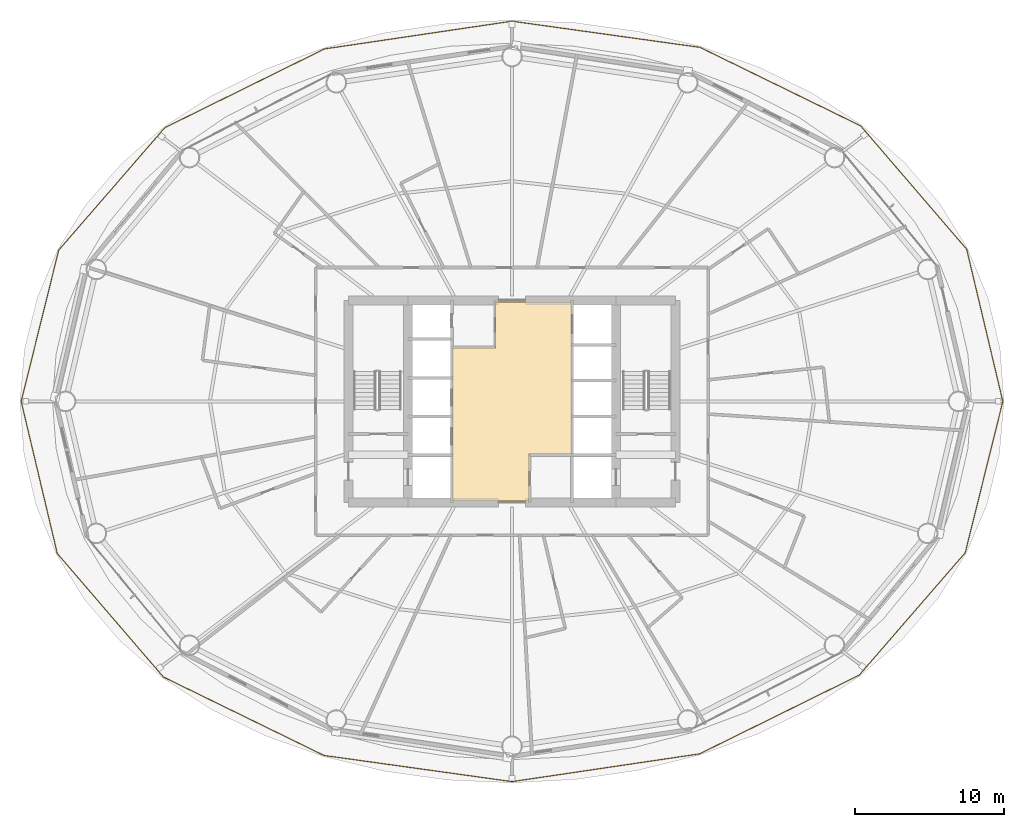
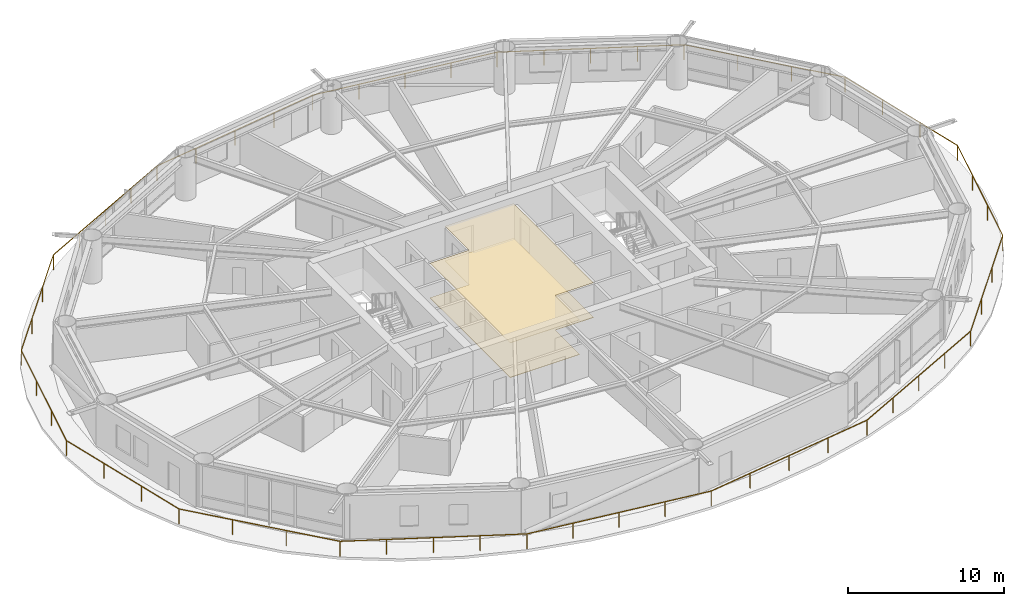
# One storey, part 25 of 26: 2 coverings, 1 railing.
"""IFC4 building model written with IfcOpenShell, lengths in metres."""

from ifc_helpers import new_model, si_unit, direction, frame, origin, origin_2d, place, context, subcontext, project, spatial, polyline, rectangle, outline, extrude, material, layer, layer_set, type_object, element, save


model = new_model("IFC4")

# Units and contexts
model_context = context("Model", 3, precision=1e-05, world=origin(), true_north=direction((0.0, 1.0)))
body_context = subcontext(model_context, "Body", "Model", "MODEL_VIEW")
ifc_project = project(units=[si_unit("LENGTHUNIT", "METRE"), si_unit("AREAUNIT", "SQUARE_METRE"), si_unit("VOLUMEUNIT", "CUBIC_METRE"), si_unit("PLANEANGLEUNIT", "RADIAN"), si_unit("MASSUNIT", "GRAM", prefix="KILO")], contexts=[model_context])

# Site, building, storey
site_placement = place(None, origin())
site = spatial("IfcSite", under=ifc_project, at=site_placement, CompositionType="ELEMENT")
building_placement = place(site_placement, origin())
building = spatial("IfcBuilding", under=site, at=building_placement, Name="Sarneth Arch Tower", CompositionType="ELEMENT")
storey_placement = place(building_placement, frame((0.0, 0.0, 53.39990234375)))
storey = spatial("IfcBuildingStorey", under=building, at=storey_placement, Name="L12", CompositionType="ELEMENT", Elevation=53.39990234375)

# Coverings
ifc_material_1 = material(Name="Perforated acoustic gypsum ceiling board")
ifc_layer_1 = layer(ifc_material_1, 0.02490234375)
ifc_layer_set_1 = layer_set([ifc_layer_1], Name="Perforated acoustic gypsum ceiling board")
covering_type_1 = type_object("IfcCoveringType", Name="COV-CEIL-GYP", PredefinedType="CEILING", material=ifc_layer_set_1)
covering_1_placement = place(storey_placement, frame((0.0, 0.0, 2.710205078125)))
element("IfcCovering", 1, at=covering_1_placement, inside=storey, type_object=covering_type_1, Name="L12 Lift lobby acoustic ceiling", PredefinedType="CEILING", context=body_context, shape_type="SweptSolid", body=[
    extrude(outline(polyline([(49.14990234375, 38.449951171875), (49.14990234375, 35.300048828125), (44.0, 35.300048828125), (44.0, 45.60009765625), (46.89990234375, 45.60009765625), (46.89990234375, 48.699951171875), (52.0, 48.699951171875), (52.0, 38.449951171875), (49.14990234375, 38.449951171875)])), origin(), (0.0, 0.0, 1.0), 0.02978515625),
])
ifc_material_2 = material(Name="Honed granite stone flooring", Category="masonry")
ifc_layer_2 = layer(ifc_material_2, 0.030029296875)
ifc_layer_set_2 = layer_set([ifc_layer_2], Name="Honed granite stone flooring")
covering_type_2 = type_object("IfcCoveringType", Name="COV-FLR-STONE", PredefinedType="FLOORING", material=ifc_layer_set_2)
covering_2_placement = place(storey_placement, origin())
element("IfcCovering", 2, at=covering_2_placement, inside=storey, type_object=covering_type_2, Name="L12 Lift lobby granite flooring", PredefinedType="FLOORING", context=body_context, shape_type="SweptSolid", body=[
    extrude(outline(polyline([(49.14990234375, 38.449951171875), (49.14990234375, 35.300048828125), (44.0, 35.300048828125), (44.0, 45.60009765625), (46.89990234375, 45.60009765625), (46.89990234375, 48.699951171875), (52.0, 48.699951171875), (52.0, 38.449951171875), (49.14990234375, 38.449951171875)])), origin(), (0.0, 0.0, 1.0), 0.030029296875),
])

# Railing
ifc_material_3 = material(Name="Laminated structural glass infill with Stainless Steel 316 top rail and posts", Category="steel")
railing_type = type_object("IfcRailingType", Name="RAIL-BALC-1200", PredefinedType="BALUSTRADE", material=ifc_material_3)
railing_placement = place(storey_placement, frame((81.02001953125, 42.0, 0.0)))
element("IfcRailing", 3, at=railing_placement, inside=storey, type_object=railing_type, Name="L12 Helical balcony glass balustrade", PredefinedType="BALUSTRADE", context=body_context, shape_type="SweptSolid", body=[
    extrude(rectangle(XDim=0.048095703125, YDim=0.048095703125, at=origin_2d()), frame((0.0, 0.0, 1.17578125), z_axis=(-0.230971899442, 0.972960421429, 0.0), x_axis=(-0.972960421429, -0.230971899442, 0.0)), (0.0, 0.0, 1.0), 10.517333984375),
    extrude(rectangle(XDim=0.048095703125, YDim=0.048095703125, at=origin_2d()), frame((-2.42919921875, 10.23291015625, 1.17578125), z_axis=(-0.651663135134, 0.758508509054, 0.0), x_axis=(-0.758508509054, -0.651663135134, 0.0)), (0.0, 0.0, 1.0), 10.94970703125),
    extrude(rectangle(XDim=0.048095703125, YDim=0.048095703125, at=origin_2d()), frame((-9.564697265625, 18.538330078125, 1.17578125), z_axis=(-0.898482056272, 0.43901024425, 0.0), x_axis=(-0.43901024425, -0.898482056272, 0.0)), (0.0, 0.0, 1.0), 12.027099609375),
    extrude(rectangle(XDim=0.048095703125, YDim=0.048095703125, at=origin_2d()), frame((-20.370849609375, 23.818359375, 1.17578125), z_axis=(-0.990445256304, 0.137906469263, 0.0), x_axis=(-0.137906469263, -0.990445256304, 0.0)), (0.0, 0.0, 1.0), 12.771240234375),
    extrude(rectangle(XDim=0.048095703125, YDim=0.048095703125, at=origin_2d()), frame((-33.02001953125, 25.57958984375, 1.17578125), z_axis=(-0.989224419805, -0.14640712845, 0.0), x_axis=(0.14640712845, -0.989224419805, 0.0)), (0.0, 0.0, 1.0), 12.75341796875),
    extrude(rectangle(XDim=0.048095703125, YDim=0.048095703125, at=origin_2d()), frame((-45.635986328125, 23.71240234375, 1.17578125), z_axis=(-0.896834990075, -0.442365234368, 0.0), x_axis=(0.442365234368, -0.896834990075, 0.0)), (0.0, 0.0, 1.0), 11.980712890625),
    extrude(rectangle(XDim=0.048095703125, YDim=0.048095703125, at=origin_2d()), frame((-56.380615234375, 18.41259765625, 1.17578125), z_axis=(-0.654774388747, -0.755824384259, 0.0), x_axis=(0.755824384259, -0.654774388747, 0.0)), (0.0, 0.0, 1.0), 10.893798828125),
    extrude(rectangle(XDim=0.048095703125, YDim=0.048095703125, at=origin_2d()), frame((-63.513671875, 10.1787109375, 1.17578125), z_axis=(-0.240892047078, -0.970551916002, 0.0), x_axis=(0.970551916002, -0.240892047078, 0.0)), (0.0, 0.0, 1.0), 10.487548828125),
    extrude(rectangle(XDim=0.048095703125, YDim=0.048095703125, at=origin_2d()), frame((-66.0400390625, 0.0, 1.17578125), z_axis=(0.230971899442, -0.972960421429, 0.0), x_axis=(0.972960421429, 0.230971899442, 0.0)), (0.0, 0.0, 1.0), 10.517333984375),
    extrude(rectangle(XDim=0.048095703125, YDim=0.048095703125, at=origin_2d()), frame((-63.61083984375, -10.23291015625, 1.17578125), z_axis=(0.651663135134, -0.758508509054, 0.0), x_axis=(0.758508509054, 0.651663135134, 0.0)), (0.0, 0.0, 1.0), 10.94970703125),
    extrude(rectangle(XDim=0.048095703125, YDim=0.048095703125, at=origin_2d()), frame((-56.475341796875, -18.538330078125, 1.17578125), z_axis=(0.898482056272, -0.43901024425, 0.0), x_axis=(0.43901024425, 0.898482056272, 0.0)), (0.0, 0.0, 1.0), 12.027099609375),
    extrude(rectangle(XDim=0.048095703125, YDim=0.048095703125, at=origin_2d()), frame((-45.669189453125, -23.818359375, 1.17578125), z_axis=(0.990445256304, -0.137906469263, 0.0), x_axis=(0.137906469263, 0.990445256304, 0.0)), (0.0, 0.0, 1.0), 12.771240234375),
    extrude(rectangle(XDim=0.048095703125, YDim=0.048095703125, at=origin_2d()), frame((-33.02001953125, -25.57958984375, 1.17578125), z_axis=(0.989224419805, 0.14640712845, 0.0), x_axis=(-0.14640712845, 0.989224419805, 0.0)), (0.0, 0.0, 1.0), 12.75341796875),
    extrude(rectangle(XDim=0.048095703125, YDim=0.048095703125, at=origin_2d()), frame((-20.404052734375, -23.71240234375, 1.17578125), z_axis=(0.896834990075, 0.442365234368, 0.0), x_axis=(-0.442365234368, 0.896834990075, 0.0)), (0.0, 0.0, 1.0), 11.980712890625),
    extrude(rectangle(XDim=0.048095703125, YDim=0.048095703125, at=origin_2d()), frame((-9.659423828125, -18.41259765625, 1.17578125), z_axis=(0.654774388747, 0.755824384259, 0.0), x_axis=(-0.755824384259, 0.654774388747, 0.0)), (0.0, 0.0, 1.0), 10.893798828125),
    extrude(rectangle(XDim=0.048095703125, YDim=0.048095703125, at=origin_2d()), frame((-2.5263671875, -10.1787109375, 1.17578125), z_axis=(0.240892047078, 0.970551916002, 0.0), x_axis=(-0.970551916002, 0.240892047078, 0.0)), (0.0, 0.0, 1.0), 10.487548828125),
    extrude(rectangle(XDim=0.0419921875, YDim=0.0419921875, at=origin_2d()), origin(), (0.0, 0.0, 1.0), 1.15185546875),
    extrude(rectangle(XDim=0.0419921875, YDim=0.0419921875, at=origin_2d()), frame((-0.809814453125, 3.410888671875, 0.0)), (0.0, 0.0, 1.0), 1.15185546875),
    extrude(rectangle(XDim=0.0419921875, YDim=0.0419921875, at=origin_2d()), frame((-1.619384765625, 6.822021484375, 0.0)), (0.0, 0.0, 1.0), 1.15185546875),
    extrude(rectangle(XDim=0.0419921875, YDim=0.0419921875, at=origin_2d()), frame((-2.42919921875, 10.23291015625, 0.0)), (0.0, 0.0, 1.0), 1.15185546875),
    extrude(rectangle(XDim=0.0419921875, YDim=0.0419921875, at=origin_2d()), frame((-4.8076171875, 13.00146484375, 0.0)), (0.0, 0.0, 1.0), 1.15185546875),
    extrude(rectangle(XDim=0.0419921875, YDim=0.0419921875, at=origin_2d()), frame((-7.186279296875, 15.769775390625, 0.0)), (0.0, 0.0, 1.0), 1.15185546875),
    extrude(rectangle(XDim=0.0419921875, YDim=0.0419921875, at=origin_2d()), frame((-9.564697265625, 18.538330078125, 0.0)), (0.0, 0.0, 1.0), 1.15185546875),
    extrude(rectangle(XDim=0.0419921875, YDim=0.0419921875, at=origin_2d()), frame((-12.26611328125, 19.8583984375, 0.0)), (0.0, 0.0, 1.0), 1.15185546875),
    extrude(rectangle(XDim=0.0419921875, YDim=0.0419921875, at=origin_2d()), frame((-14.9677734375, 21.17822265625, 0.0)), (0.0, 0.0, 1.0), 1.15185546875),
    extrude(rectangle(XDim=0.0419921875, YDim=0.0419921875, at=origin_2d()), frame((-17.66943359375, 22.498291015625, 0.0)), (0.0, 0.0, 1.0), 1.15185546875),
    extrude(rectangle(XDim=0.0419921875, YDim=0.0419921875, at=origin_2d()), frame((-20.370849609375, 23.818359375, 0.0)), (0.0, 0.0, 1.0), 1.15185546875),
    extrude(rectangle(XDim=0.0419921875, YDim=0.0419921875, at=origin_2d()), frame((-23.533203125, 24.2587890625, 0.0)), (0.0, 0.0, 1.0), 1.15185546875),
    extrude(rectangle(XDim=0.0419921875, YDim=0.0419921875, at=origin_2d()), frame((-26.6953125, 24.698974609375, 0.0)), (0.0, 0.0, 1.0), 1.15185546875),
    extrude(rectangle(XDim=0.0419921875, YDim=0.0419921875, at=origin_2d()), frame((-29.857666015625, 25.13916015625, 0.0)), (0.0, 0.0, 1.0), 1.15185546875),
    extrude(rectangle(XDim=0.0419921875, YDim=0.0419921875, at=origin_2d()), frame((-33.02001953125, 25.57958984375, 0.0)), (0.0, 0.0, 1.0), 1.15185546875),
    extrude(rectangle(XDim=0.0419921875, YDim=0.0419921875, at=origin_2d()), frame((-36.174072265625, 25.11279296875, 0.0)), (0.0, 0.0, 1.0), 1.15185546875),
    extrude(rectangle(XDim=0.0419921875, YDim=0.0419921875, at=origin_2d()), frame((-39.328125, 24.64599609375, 0.0)), (0.0, 0.0, 1.0), 1.15185546875),
    extrude(rectangle(XDim=0.0419921875, YDim=0.0419921875, at=origin_2d()), frame((-42.48193359375, 24.17919921875, 0.0)), (0.0, 0.0, 1.0), 1.15185546875),
    extrude(rectangle(XDim=0.0419921875, YDim=0.0419921875, at=origin_2d()), frame((-45.635986328125, 23.71240234375, 0.0)), (0.0, 0.0, 1.0), 1.15185546875),
    extrude(rectangle(XDim=0.0419921875, YDim=0.0419921875, at=origin_2d()), frame((-48.322265625, 22.387451171875, 0.0)), (0.0, 0.0, 1.0), 1.15185546875),
    extrude(rectangle(XDim=0.0419921875, YDim=0.0419921875, at=origin_2d()), frame((-51.00830078125, 21.0625, 0.0)), (0.0, 0.0, 1.0), 1.15185546875),
    extrude(rectangle(XDim=0.0419921875, YDim=0.0419921875, at=origin_2d()), frame((-53.6943359375, 19.737548828125, 0.0)), (0.0, 0.0, 1.0), 1.15185546875),
    extrude(rectangle(XDim=0.0419921875, YDim=0.0419921875, at=origin_2d()), frame((-56.380615234375, 18.41259765625, 0.0)), (0.0, 0.0, 1.0), 1.15185546875),
    extrude(rectangle(XDim=0.0419921875, YDim=0.0419921875, at=origin_2d()), frame((-58.75830078125, 15.66796875, 0.0)), (0.0, 0.0, 1.0), 1.15185546875),
    extrude(rectangle(XDim=0.0419921875, YDim=0.0419921875, at=origin_2d()), frame((-61.135986328125, 12.92333984375, 0.0)), (0.0, 0.0, 1.0), 1.15185546875),
    extrude(rectangle(XDim=0.0419921875, YDim=0.0419921875, at=origin_2d()), frame((-63.513671875, 10.1787109375, 0.0)), (0.0, 0.0, 1.0), 1.15185546875),
    extrude(rectangle(XDim=0.0419921875, YDim=0.0419921875, at=origin_2d()), frame((-64.355712890625, 6.785888671875, 0.0)), (0.0, 0.0, 1.0), 1.15185546875),
    extrude(rectangle(XDim=0.0419921875, YDim=0.0419921875, at=origin_2d()), frame((-65.197998046875, 3.392822265625, 0.0)), (0.0, 0.0, 1.0), 1.15185546875),
    extrude(rectangle(XDim=0.0419921875, YDim=0.0419921875, at=origin_2d()), frame((-66.0400390625, 0.0, 0.0)), (0.0, 0.0, 1.0), 1.15185546875),
    extrude(rectangle(XDim=0.0419921875, YDim=0.0419921875, at=origin_2d()), frame((-65.230224609375, -3.410888671875, 0.0)), (0.0, 0.0, 1.0), 1.15185546875),
    extrude(rectangle(XDim=0.0419921875, YDim=0.0419921875, at=origin_2d()), frame((-64.420654296875, -6.822021484375, 0.0)), (0.0, 0.0, 1.0), 1.15185546875),
    extrude(rectangle(XDim=0.0419921875, YDim=0.0419921875, at=origin_2d()), frame((-63.61083984375, -10.23291015625, 0.0)), (0.0, 0.0, 1.0), 1.15185546875),
    extrude(rectangle(XDim=0.0419921875, YDim=0.0419921875, at=origin_2d()), frame((-61.232421875, -13.00146484375, 0.0)), (0.0, 0.0, 1.0), 1.15185546875),
    extrude(rectangle(XDim=0.0419921875, YDim=0.0419921875, at=origin_2d()), frame((-58.853759765625, -15.769775390625, 0.0)), (0.0, 0.0, 1.0), 1.15185546875),
    extrude(rectangle(XDim=0.0419921875, YDim=0.0419921875, at=origin_2d()), frame((-56.475341796875, -18.538330078125, 0.0)), (0.0, 0.0, 1.0), 1.15185546875),
    extrude(rectangle(XDim=0.0419921875, YDim=0.0419921875, at=origin_2d()), frame((-53.77392578125, -19.8583984375, 0.0)), (0.0, 0.0, 1.0), 1.15185546875),
    extrude(rectangle(XDim=0.0419921875, YDim=0.0419921875, at=origin_2d()), frame((-51.072265625, -21.17822265625, 0.0)), (0.0, 0.0, 1.0), 1.15185546875),
    extrude(rectangle(XDim=0.0419921875, YDim=0.0419921875, at=origin_2d()), frame((-48.37060546875, -22.498291015625, 0.0)), (0.0, 0.0, 1.0), 1.15185546875),
    extrude(rectangle(XDim=0.0419921875, YDim=0.0419921875, at=origin_2d()), frame((-45.669189453125, -23.818359375, 0.0)), (0.0, 0.0, 1.0), 1.15185546875),
    extrude(rectangle(XDim=0.0419921875, YDim=0.0419921875, at=origin_2d()), frame((-42.5068359375, -24.2587890625, 0.0)), (0.0, 0.0, 1.0), 1.15185546875),
    extrude(rectangle(XDim=0.0419921875, YDim=0.0419921875, at=origin_2d()), frame((-39.3447265625, -24.698974609375, 0.0)), (0.0, 0.0, 1.0), 1.15185546875),
    extrude(rectangle(XDim=0.0419921875, YDim=0.0419921875, at=origin_2d()), frame((-36.182373046875, -25.13916015625, 0.0)), (0.0, 0.0, 1.0), 1.15185546875),
    extrude(rectangle(XDim=0.0419921875, YDim=0.0419921875, at=origin_2d()), frame((-33.02001953125, -25.57958984375, 0.0)), (0.0, 0.0, 1.0), 1.15185546875),
    extrude(rectangle(XDim=0.0419921875, YDim=0.0419921875, at=origin_2d()), frame((-29.865966796875, -25.11279296875, 0.0)), (0.0, 0.0, 1.0), 1.15185546875),
    extrude(rectangle(XDim=0.0419921875, YDim=0.0419921875, at=origin_2d()), frame((-26.7119140625, -24.64599609375, 0.0)), (0.0, 0.0, 1.0), 1.15185546875),
    extrude(rectangle(XDim=0.0419921875, YDim=0.0419921875, at=origin_2d()), frame((-23.55810546875, -24.17919921875, 0.0)), (0.0, 0.0, 1.0), 1.15185546875),
    extrude(rectangle(XDim=0.0419921875, YDim=0.0419921875, at=origin_2d()), frame((-20.404052734375, -23.71240234375, 0.0)), (0.0, 0.0, 1.0), 1.15185546875),
    extrude(rectangle(XDim=0.0419921875, YDim=0.0419921875, at=origin_2d()), frame((-17.7177734375, -22.387451171875, 0.0)), (0.0, 0.0, 1.0), 1.15185546875),
    extrude(rectangle(XDim=0.0419921875, YDim=0.0419921875, at=origin_2d()), frame((-15.03173828125, -21.0625, 0.0)), (0.0, 0.0, 1.0), 1.15185546875),
    extrude(rectangle(XDim=0.0419921875, YDim=0.0419921875, at=origin_2d()), frame((-12.345703125, -19.737548828125, 0.0)), (0.0, 0.0, 1.0), 1.15185546875),
    extrude(rectangle(XDim=0.0419921875, YDim=0.0419921875, at=origin_2d()), frame((-9.659423828125, -18.41259765625, 0.0)), (0.0, 0.0, 1.0), 1.15185546875),
    extrude(rectangle(XDim=0.0419921875, YDim=0.0419921875, at=origin_2d()), frame((-7.28173828125, -15.66796875, 0.0)), (0.0, 0.0, 1.0), 1.15185546875),
    extrude(rectangle(XDim=0.0419921875, YDim=0.0419921875, at=origin_2d()), frame((-4.904052734375, -12.92333984375, 0.0)), (0.0, 0.0, 1.0), 1.15185546875),
    extrude(rectangle(XDim=0.0419921875, YDim=0.0419921875, at=origin_2d()), frame((-2.5263671875, -10.1787109375, 0.0)), (0.0, 0.0, 1.0), 1.15185546875),
    extrude(rectangle(XDim=0.0419921875, YDim=0.0419921875, at=origin_2d()), frame((-1.684326171875, -6.785888671875, 0.0)), (0.0, 0.0, 1.0), 1.15185546875),
    extrude(rectangle(XDim=0.0419921875, YDim=0.0419921875, at=origin_2d()), frame((-0.842041015625, -3.392822265625, 0.0)), (0.0, 0.0, 1.0), 1.15185546875),
])

save(model, "model.ifc")
